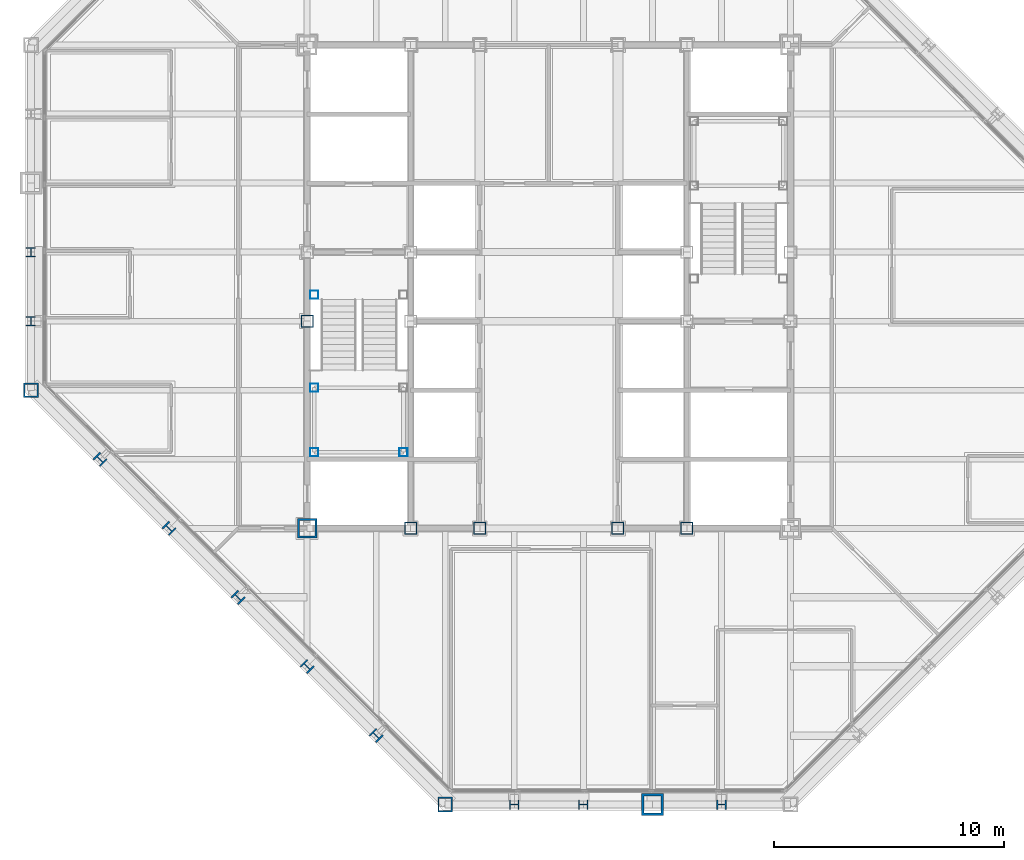
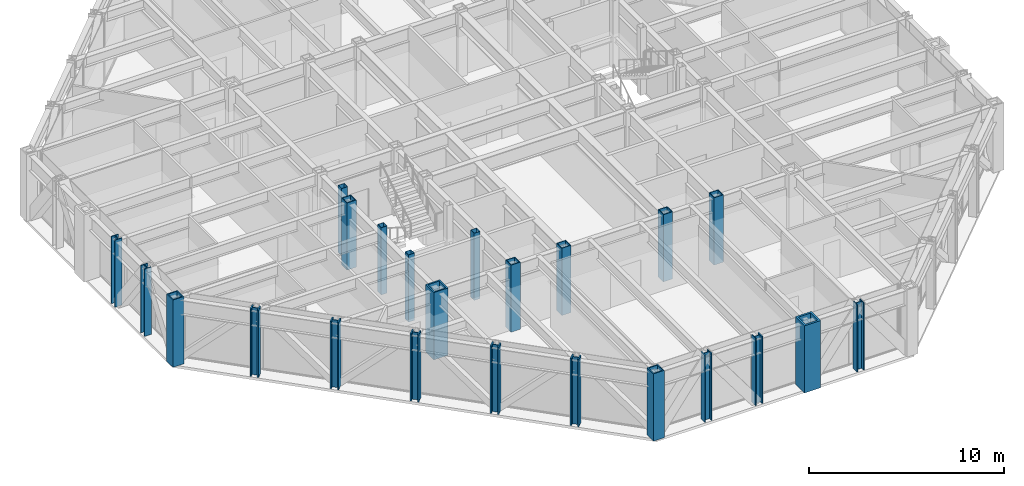
# One storey, part 1 of 16: 23 columns.
"""IFC4 building model written with IfcOpenShell, lengths in metres."""

from ifc_helpers import new_model, si_unit, direction, frame, origin, origin_2d, place, context, subcontext, project, spatial, hollow_rectangle, i_section, extrude, material, material_profile, profile_set, type_object, element, save


model = new_model("IFC4")

# Units and contexts
model_context = context("Model", 3, precision=1e-05, world=origin(), true_north=direction((0.0, 1.0)))
body_context = subcontext(model_context, "Body", "Model", "MODEL_VIEW")
ifc_project = project(units=[si_unit("LENGTHUNIT", "METRE"), si_unit("AREAUNIT", "SQUARE_METRE"), si_unit("VOLUMEUNIT", "CUBIC_METRE"), si_unit("PLANEANGLEUNIT", "RADIAN"), si_unit("MASSUNIT", "GRAM", prefix="KILO")], contexts=[model_context])

# Site, building, storey
site_placement = place(None, origin())
site = spatial("IfcSite", under=ifc_project, at=site_placement, CompositionType="ELEMENT")
building_placement = place(site_placement, origin())
building = spatial("IfcBuilding", under=site, at=building_placement, Name="Chuquiago Exchange Tower", CompositionType="ELEMENT")
storey_placement = place(building_placement, frame((0.0, 0.0, 230.699951171875)))
storey = spatial("IfcBuildingStorey", under=building, at=storey_placement, Name="L51", CompositionType="ELEMENT", Elevation=230.699951171875)

# Columns
ifc_material_1 = material(Name="Steel ASTM A992", Category="steel")
ifc_material_profile_1 = material_profile(ifc_material_1, i_section(OverallWidth=0.408935546875, OverallDepth=0.424072265625, WebThickness=0.03271484375, FlangeThickness=0.052490234375, at=origin_2d()), Name="W14X283")
ifc_profile_set_1 = profile_set([ifc_material_profile_1], Name="Steel ASTM A992")
column_type_1 = type_object("IfcColumnType", Name="C8 W14X283", PredefinedType="COLUMN", material=ifc_profile_set_1)
for number, where, z_axis, x_axis, name in (
    (1, (21.0, 0.0, 0.0), (0.0, 0.0, 1.0), (0.0, -1.0, 0.0), "COL-L51-21_0"),
    (2, (24.0, 0.0, 0.0), (0.0, 0.0, 1.0), (0.0, -1.0, 0.0), "COL-L51-24_0"),
    (3, (30.0, 0.0, 0.0), (0.0, 0.0, 1.0), (0.0, -1.0, 0.0), "COL-L51-30_0"),
    (4, (0.0, 24.0, 0.0), (0.0, 0.0, 1.0), (-1.0, 0.0, 0.0), "COL-L51-0_24"),
    (5, (0.0, 21.0, 0.0), (0.0, 0.0, 1.0), (-1.0, 0.0, 0.0), "COL-L51-0_21"),
):
    element("IfcColumn", number, at=place(storey_placement, frame(where, z_axis=z_axis, x_axis=x_axis)), inside=storey, type_object=column_type_1, Name=name, PredefinedType="COLUMN", context=body_context, shape_type="SweptSolid", body=[
        extrude(i_section(OverallWidth=0.408935546875, OverallDepth=0.424072265625, WebThickness=0.03271484375, FlangeThickness=0.052490234375, at=origin_2d()), origin(), (0.0, 0.0, 1.0), 4.199951171875),
    ])
ifc_material_2 = material(Name="Steel ASTM A572 Grade 50", Category="steel")
ifc_material_profile_2 = material_profile(ifc_material_2, hollow_rectangle(XDim=0.85009765625, YDim=0.85009765625, WallThickness=0.0849609375, at=origin_2d()), Name="BOX850X850X85")
ifc_profile_set_2 = profile_set([ifc_material_profile_2], Name="Steel ASTM A572 Grade 50")
column_type_2 = type_object("IfcColumnType", Name="CC6 BOX850X850X85", PredefinedType="COLUMN", material=ifc_profile_set_2)
column_1_placement = place(storey_placement, frame((12.0, 12.0, 0.0), z_axis=(0.0, 0.0, 1.0), x_axis=(1.0, 0.0, 0.0)))
element("IfcColumn", 6, at=column_1_placement, inside=storey, type_object=column_type_2, Name="CCOL-L51-12_12", PredefinedType="COLUMN", context=body_context, shape_type="SweptSolid", body=[
    extrude(hollow_rectangle(XDim=0.85009765625, YDim=0.85009765625, WallThickness=0.0849609375, at=origin_2d()), origin(), (0.0, 0.0, 1.0), 4.199951171875),
])
ifc_material_3 = material(Name="Steel ASTM A572 Grade 50", Category="steel")
ifc_material_profile_3 = material_profile(ifc_material_3, hollow_rectangle(XDim=0.550048828125, YDim=0.550048828125, WallThickness=0.044921875, at=origin_2d()), Name="BOX550X550X45")
ifc_profile_set_3 = profile_set([ifc_material_profile_3], Name="Steel ASTM A572 Grade 50")
column_type_3 = type_object("IfcColumnType", Name="CC8 BOX550X550X45", PredefinedType="COLUMN", material=ifc_profile_set_3)
for number, where, z_axis, x_axis, name in (
    (7, (16.5, 12.0, 0.0), (0.0, 0.0, 1.0), (1.0, 0.0, 0.0), "CCOL-L51-16.5_12"),
    (8, (19.5, 12.0, 0.0), (0.0, 0.0, 1.0), (1.0, 0.0, 0.0), "CCOL-L51-19.5_12"),
    (9, (25.5, 12.0, 0.0), (0.0, 0.0, 1.0), (1.0, 0.0, 0.0), "CCOL-L51-25.5_12"),
    (10, (28.5, 12.0, 0.0), (0.0, 0.0, 1.0), (1.0, 0.0, 0.0), "CCOL-L51-28.5_12"),
    (11, (12.0, 21.0, 0.0), (0.0, 0.0, 1.0), (1.0, 0.0, 0.0), "CCOL-L51-12_21"),
):
    element("IfcColumn", number, at=place(storey_placement, frame(where, z_axis=z_axis, x_axis=x_axis)), inside=storey, type_object=column_type_3, Name=name, PredefinedType="COLUMN", context=body_context, shape_type="SweptSolid", body=[
        extrude(hollow_rectangle(XDim=0.550048828125, YDim=0.550048828125, WallThickness=0.044921875, at=origin_2d()), origin(), (0.0, 0.0, 1.0), 4.199951171875),
    ])
ifc_material_4 = material(Name="Steel ASTM A992", Category="steel")
ifc_material_profile_4 = material_profile(ifc_material_4, i_section(OverallWidth=0.421630859375, OverallDepth=0.46484375, WebThickness=0.044921875, FlangeThickness=0.072509765625, at=origin_2d()), Name="W14X398")
ifc_profile_set_4 = profile_set([ifc_material_profile_4], Name="Steel ASTM A992")
column_type_4 = type_object("IfcColumnType", Name="CK7 W14X398", PredefinedType="COLUMN", material=ifc_profile_set_4)
for number, where, z_axis, x_axis, name in (
    (12, (3.0, 15.0, 0.0), (0.0, 0.0, 1.0), (-0.707106781187, -0.707106781187, 0.0), "COL-L51-3_15"),
    (13, (6.0, 12.0, 0.0), (0.0, 0.0, 1.0), (-0.707106781187, -0.707106781187, 0.0), "COL-L51-6_12"),
    (14, (9.0, 9.0, 0.0), (0.0, 0.0, 1.0), (-0.707106781187, -0.707106781187, 0.0), "COL-L51-9_9"),
    (15, (12.0, 6.0, 0.0), (0.0, 0.0, 1.0), (-0.707106781187, -0.707106781187, 0.0), "COL-L51-12_6"),
    (16, (15.0, 3.0, 0.0), (0.0, 0.0, 1.0), (-0.707106781187, -0.707106781187, 0.0), "COL-L51-15_3"),
):
    element("IfcColumn", number, at=place(storey_placement, frame(where, z_axis=z_axis, x_axis=x_axis)), inside=storey, type_object=column_type_4, Name=name, PredefinedType="COLUMN", context=body_context, shape_type="SweptSolid", body=[
        extrude(i_section(OverallWidth=0.421630859375, OverallDepth=0.46484375, WebThickness=0.044921875, FlangeThickness=0.072509765625, at=origin_2d()), origin(), (0.0, 0.0, 1.0), 4.199951171875),
    ])
ifc_material_5 = material(Name="Steel ASTM A572 Grade 50", Category="steel")
ifc_material_profile_5 = material_profile(ifc_material_5, hollow_rectangle(XDim=0.64990234375, YDim=0.64990234375, WallThickness=0.06494140625, at=origin_2d()), Name="BOX650X650X65")
ifc_profile_set_5 = profile_set([ifc_material_profile_5], Name="Steel ASTM A572 Grade 50")
column_type_5 = type_object("IfcColumnType", Name="CN2 BOX650X650X65", PredefinedType="COLUMN", material=ifc_profile_set_5)
for number, where, z_axis, x_axis, name in (
    (17, (18.0, 0.0, 0.0), (0.0, 0.0, 1.0), (0.0, -1.0, 0.0), "COL-L51-18_0"),
    (18, (0.0, 18.0, 0.0), (0.0, 0.0, 1.0), (-1.0, 0.0, 0.0), "COL-L51-0_18"),
):
    element("IfcColumn", number, at=place(storey_placement, frame(where, z_axis=z_axis, x_axis=x_axis)), inside=storey, type_object=column_type_5, Name=name, PredefinedType="COLUMN", context=body_context, shape_type="SweptSolid", body=[
        extrude(hollow_rectangle(XDim=0.64990234375, YDim=0.64990234375, WallThickness=0.06494140625, at=origin_2d()), origin(), (0.0, 0.0, 1.0), 4.199951171875),
    ])
ifc_material_6 = material(Name="Steel ASTM A572 Grade 42", Category="steel")
ifc_material_profile_6 = material_profile(ifc_material_6, hollow_rectangle(XDim=0.949951171875, YDim=0.949951171875, WallThickness=0.110107421875, at=origin_2d()), Name="BOX950X950X110")
ifc_profile_set_6 = profile_set([ifc_material_profile_6], Name="Steel ASTM A572 Grade 42")
column_type_6 = type_object("IfcColumnType", Name="CT1 BOX950X950X110", PredefinedType="COLUMN", material=ifc_profile_set_6)
column_2_placement = place(storey_placement, frame((27.0, 0.0, 0.0), z_axis=(0.0, 0.0, 1.0), x_axis=(0.0, -1.0, 0.0)))
element("IfcColumn", 19, at=column_2_placement, inside=storey, type_object=column_type_6, Name="COL-L51-27_0", PredefinedType="COLUMN", context=body_context, shape_type="SweptSolid", body=[
    extrude(hollow_rectangle(XDim=0.949951171875, YDim=0.949951171875, WallThickness=0.110107421875, at=origin_2d()), origin(), (0.0, 0.0, 1.0), 4.199951171875),
])
ifc_material_7 = material(Name="Steel ASTM A500 Grade C", Category="steel")
ifc_material_profile_7 = material_profile(ifc_material_7, hollow_rectangle(XDim=0.355712890625, YDim=0.355712890625, WallThickness=0.0087890625, at=origin_2d()), Name="HSS14X14X3/8")
ifc_profile_set_7 = profile_set([ifc_material_profile_7], Name="Steel ASTM A500 Grade C")
column_type_7 = type_object("IfcColumnType", Name="PT1 HSS14X14X3/8", PredefinedType="COLUMN", material=ifc_profile_set_7)
for number, where, z_axis, x_axis, name in (
    (20, (12.31005859375, 15.31005859375, 0.0), (0.0, 0.0, 1.0), (1.0, 0.0, 0.0), "Stair ST1 L51 landing post"),
    (21, (16.18994140625, 15.31005859375, 0.0), (0.0, 0.0, 1.0), (1.0, 0.0, 0.0), "Stair ST1 L51 landing post"),
    (22, (12.31005859375, 18.110107421875, 0.0), (0.0, 0.0, 1.0), (1.0, 0.0, 0.0), "Stair ST1 L51 landing post"),
    (23, (12.31005859375, 22.14990234375, 0.0), (0.0, 0.0, 1.0), (1.0, 0.0, 0.0), "Stair ST1 L51 landing post"),
):
    element("IfcColumn", number, at=place(storey_placement, frame(where, z_axis=z_axis, x_axis=x_axis)), inside=storey, type_object=column_type_7, Name=name, PredefinedType="COLUMN", context=body_context, shape_type="SweptSolid", body=[
        extrude(hollow_rectangle(XDim=0.355712890625, YDim=0.355712890625, WallThickness=0.0087890625, at=origin_2d()), origin(), (0.0, 0.0, 1.0), 4.199951171875),
    ])

save(model, "model.ifc")
